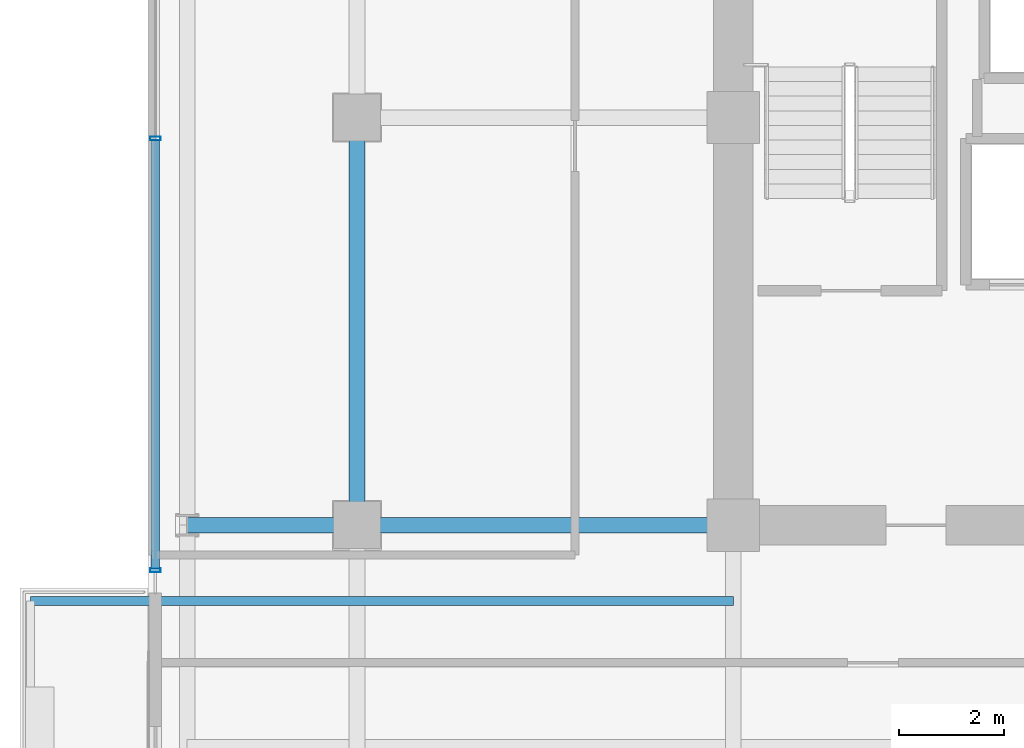
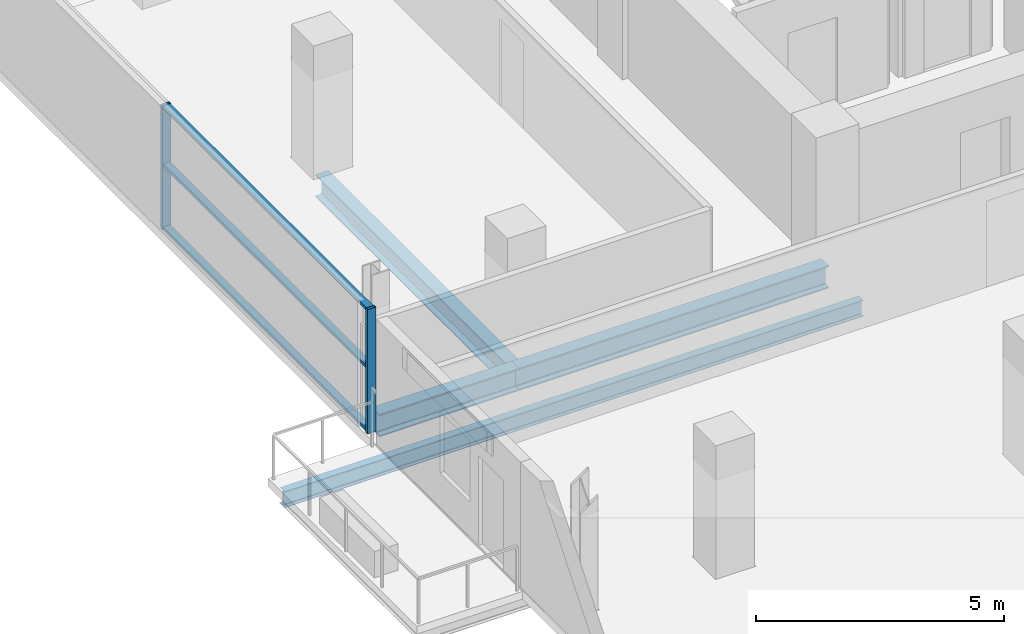
# One storey, part 5 of 23: 5 members, 4 beams, 1 element without a shape of its own.
"""IFC4 building model written with IfcOpenShell, lengths in metres."""

from ifc_helpers import new_model, si_unit, direction, frame, origin, origin_2d, place, context, subcontext, project, spatial, hollow_rectangle, i_section, extrude, source, transform, mapped, material, layer, layer_set, material_profile, profile_set, type_object, element, aggregate, save


model = new_model("IFC4")

# Units and contexts
model_context = context("Model", 3, precision=1e-05, world=origin(), true_north=direction((0.0, 1.0)))
body_context = subcontext(model_context, "Body", "Model", "MODEL_VIEW")
ifc_project = project(units=[si_unit("LENGTHUNIT", "METRE"), si_unit("AREAUNIT", "SQUARE_METRE"), si_unit("VOLUMEUNIT", "CUBIC_METRE"), si_unit("PLANEANGLEUNIT", "RADIAN"), si_unit("MASSUNIT", "GRAM", prefix="KILO")], contexts=[model_context])

# Site, building, storey
site_placement = place(None, origin())
site = spatial("IfcSite", under=ifc_project, at=site_placement, CompositionType="ELEMENT")
building_placement = place(site_placement, origin())
building = spatial("IfcBuilding", under=site, at=building_placement, Name="Zarnakvel Exchange Tower", CompositionType="ELEMENT")
storey_placement = place(building_placement, frame((0.0, 0.0, 123.10009765625)))
storey = spatial("IfcBuildingStorey", under=building, at=storey_placement, Name="L34", CompositionType="ELEMENT", Elevation=123.10009765625)

# Beams
ifc_material_1 = material(Name="Steel S355", Category="steel")
ifc_material_profile_1 = material_profile(ifc_material_1, i_section(OverallWidth=0.179931640625, OverallDepth=0.39990234375, WebThickness=0.008544921875, FlangeThickness=0.013427734375, FilletRadius=0.02099609375, at=origin_2d()))
ifc_profile_set_1 = profile_set([ifc_material_profile_1], Name="Steel S355")
beam_type_1 = type_object("IfcBeamType", Name="B-06", PredefinedType="JOIST", material=ifc_profile_set_1)
beam_1_placement = place(storey_placement, frame((-14.39990234375, -2.64990234375, -0.425048828125), z_axis=(-1.0, 0.0, 0.0), x_axis=(0.0, -1.0, 0.0)))
element("IfcBeam", 1, at=beam_1_placement, inside=storey, type_object=beam_type_1, Name="L34 Continuous West Loggia Beam N", PredefinedType="JOIST", context=body_context, shape_type="SweptSolid", body=[
    extrude(i_section(OverallWidth=0.179931640625, OverallDepth=0.39990234375, WebThickness=0.008544921875, FlangeThickness=0.013427734375, FilletRadius=0.02099609375, at=origin_2d()), origin(), (0.0, 0.0, 1.0), 13.4501953125),
])
ifc_material_profile_2 = material_profile(ifc_material_1, i_section(OverallWidth=0.300048828125, OverallDepth=0.550048828125, WebThickness=0.014892578125, FlangeThickness=0.029052734375, FilletRadius=0.027099609375, at=origin_2d()))
ifc_profile_set_2 = profile_set([ifc_material_profile_2], Name="Steel S355")
beam_type_2 = type_object("IfcBeamType", Name="G-05", PredefinedType="BEAM", material=ifc_profile_set_2)
beam_2_placement = place(storey_placement, frame((-24.85009765625, -1.199951171875, -0.5), z_axis=(1.0, 0.0, 0.0), x_axis=(0.0, 1.0, 0.0)))
element("IfcBeam", 2, at=beam_2_placement, inside=storey, type_object=beam_type_2, Name="L34 Tower E-W Frame Beam", PredefinedType="BEAM", context=body_context, shape_type="SweptSolid", body=[
    extrude(i_section(OverallWidth=0.300048828125, OverallDepth=0.550048828125, WebThickness=0.014892578125, FlangeThickness=0.029052734375, FilletRadius=0.027099609375, at=origin_2d()), origin(), (0.0, 0.0, 1.0), 3.25),
])
beam_3_placement = place(storey_placement, frame((-21.60009765625, -1.199951171875, -0.5), z_axis=(1.0, 0.0, 0.0), x_axis=(0.0, 1.0, 0.0)))
element("IfcBeam", 3, at=beam_3_placement, inside=storey, type_object=beam_type_2, Name="L34 Tower E-W Frame Beam", PredefinedType="BEAM", context=body_context, shape_type="SweptSolid", body=[
    extrude(i_section(OverallWidth=0.300048828125, OverallDepth=0.550048828125, WebThickness=0.014892578125, FlangeThickness=0.029052734375, FilletRadius=0.027099609375, at=origin_2d()), origin(), (0.0, 0.0, 1.0), 7.2001953125),
])
beam_4_placement = place(storey_placement, frame((-21.60009765625, -1.199951171875, -0.5), z_axis=(0.0, 1.0, 0.0), x_axis=(-1.0, 0.0, 0.0)))
element("IfcBeam", 4, at=beam_4_placement, inside=storey, type_object=beam_type_2, Name="L34 Tower N-S Frame Beam", PredefinedType="BEAM", context=body_context, shape_type="SweptSolid", body=[
    extrude(i_section(OverallWidth=0.300048828125, OverallDepth=0.550048828125, WebThickness=0.014892578125, FlangeThickness=0.029052734375, FilletRadius=0.027099609375, at=origin_2d()), origin(), (0.0, 0.0, 1.0), 7.800048828125),
])

# Curtain wall, members
ifc_material_2 = material(Name="Architectural Bronze Anodised Aluminium", Category="aluminium")
ifc_layer = layer(ifc_material_2, 0.199951171875)
ifc_layer_set = layer_set([ifc_layer], Name="Architectural Bronze Anodised Aluminium")
curtain_wall_type = type_object("IfcCurtainWallType", Name="CW-04", PredefinedType="NOTDEFINED", material=ifc_layer_set)
curtain_wall_placement = place(storey_placement, origin())
curtain_wall = element("IfcCurtainWall", 5, at=curtain_wall_placement, inside=storey, type_object=curtain_wall_type, Name="L34 Curtain Wall CW-L34-WN (CW-04)", PredefinedType="NOTDEFINED")
ifc_material_profile_3 = material_profile(ifc_material_2, hollow_rectangle(XDim=0.199951171875, YDim=0.074951171875, WallThickness=0.0048828125, at=origin_2d()))
ifc_profile_set_3 = profile_set([ifc_material_profile_3], Name="Architectural Bronze Anodised Aluminium")
member_type_1 = type_object("IfcMemberType", Name="CWM-04", PredefinedType="MULLION", material=ifc_profile_set_3)
shared_shape_1 = source(origin(), body_context, "Body", "SweptSolid", [
    extrude(hollow_rectangle(XDim=0.199951171875, YDim=0.074951171875, WallThickness=0.0048828125, at=origin_2d()), origin(), (0.0, 0.0, 1.0), 3.054931640625),
])
member_1_placement = place(storey_placement, frame((-25.4599609375, -2.0625, 0.0), z_axis=(0.0, 0.0, 1.0), x_axis=(-1.0, 0.0, 0.0)))
member_1 = element("IfcMember", 6, at=member_1_placement, type_object=member_type_1, Name="CW-04 mullion 1", PredefinedType="MULLION", context=body_context, shape_type="MappedRepresentation", body=[
    mapped(shared_shape_1, transform((0.0, 0.0, 0.0), x_axis=(1.0, 0.0, 0.0), y_axis=(0.0, 1.0, 0.0), z_axis=(0.0, 0.0, 1.0), scale=1.0)),
])
member_2_placement = place(storey_placement, frame((-25.4599609375, 6.199951171875, 0.0), z_axis=(0.0, 0.0, 1.0), x_axis=(-1.0, 0.0, 0.0)))
member_2 = element("IfcMember", 7, at=member_2_placement, type_object=member_type_1, Name="CW-04 mullion 2", PredefinedType="MULLION", context=body_context, shape_type="MappedRepresentation", body=[
    mapped(shared_shape_1, transform((0.0, 0.0, 0.0), x_axis=(1.0, 0.0, 0.0), y_axis=(0.0, 1.0, 0.0), z_axis=(0.0, 0.0, 1.0), scale=1.0)),
])
ifc_material_profile_4 = material_profile(ifc_material_2, hollow_rectangle(XDim=0.159912109375, YDim=0.074951171875, WallThickness=0.00390625, at=origin_2d()))
ifc_profile_set_4 = profile_set([ifc_material_profile_4], Name="Architectural Bronze Anodised Aluminium")
member_type_2 = type_object("IfcMemberType", Name="CWT-04", PredefinedType="USERDEFINED", material=ifc_profile_set_4)
shared_shape_2 = source(origin(), body_context, "Body", "SweptSolid", [
    extrude(hollow_rectangle(XDim=0.159912109375, YDim=0.074951171875, WallThickness=0.00390625, at=origin_2d()), origin(), (0.0, 0.0, 1.0), 8.1875),
])
member_3_placement = place(storey_placement, frame((-25.4599609375, -2.02490234375, 0.037353515625), z_axis=(0.0, 1.0, 0.0), x_axis=(-1.0, 0.0, 0.0)))
member_3 = element("IfcMember", 8, at=member_3_placement, type_object=member_type_2, Name="CW-04 transom 1.1", ObjectType="TRANSOM", PredefinedType="USERDEFINED", context=body_context, shape_type="MappedRepresentation", body=[
    mapped(shared_shape_2, transform((0.0, 0.0, 0.0), x_axis=(1.0, 0.0, 0.0), y_axis=(0.0, 1.0, 0.0), z_axis=(0.0, 0.0, 1.0), scale=1.0)),
])
member_4_placement = place(storey_placement, frame((-25.4599609375, -2.02490234375, 1.588623046875), z_axis=(0.0, 1.0, 0.0), x_axis=(-1.0, 0.0, 0.0)))
member_4 = element("IfcMember", 9, at=member_4_placement, type_object=member_type_2, Name="CW-04 transom 1.2", ObjectType="TRANSOM", PredefinedType="USERDEFINED", context=body_context, shape_type="MappedRepresentation", body=[
    mapped(shared_shape_2, transform((0.0, 0.0, 0.0), x_axis=(1.0, 0.0, 0.0), y_axis=(0.0, 1.0, 0.0), z_axis=(0.0, 0.0, 1.0), scale=1.0)),
])
member_5_placement = place(storey_placement, frame((-25.4599609375, -2.02490234375, 3.017333984375), z_axis=(0.0, 1.0, 0.0), x_axis=(-1.0, 0.0, 0.0)))
member_5 = element("IfcMember", 10, at=member_5_placement, type_object=member_type_2, Name="CW-04 transom 1.3", ObjectType="TRANSOM", PredefinedType="USERDEFINED", context=body_context, shape_type="MappedRepresentation", body=[
    mapped(shared_shape_2, transform((0.0, 0.0, 0.0), x_axis=(1.0, 0.0, 0.0), y_axis=(0.0, 1.0, 0.0), z_axis=(0.0, 0.0, 1.0), scale=1.0)),
])
aggregate(curtain_wall, [member_1, member_2, member_3, member_4, member_5])

save(model, "model.ifc")
